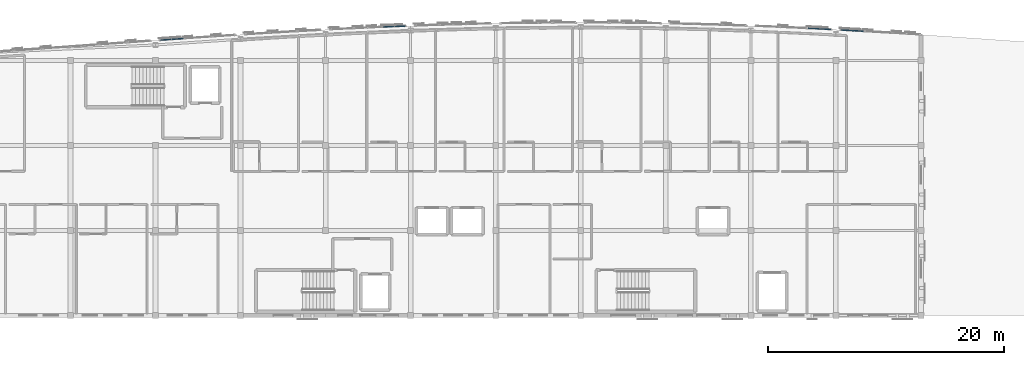
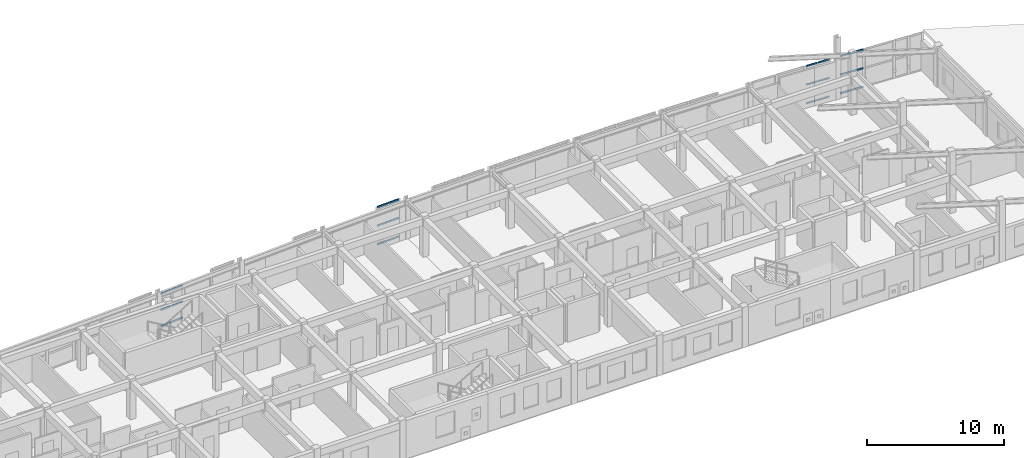
# One storey, part 21 of 34: 24 members, 4 elements without a shape of their own.
"""IFC4 building model written with IfcOpenShell, lengths in metres."""

from ifc_helpers import new_model, si_unit, direction, frame, origin, origin_2d, place, context, subcontext, project, spatial, hollow_rectangle, extrude, material, layer, layer_set, material_profile, profile_set, type_object, element, aggregate, save


model = new_model("IFC4")

# Units and contexts
model_context = context("Model", 3, precision=1e-05, world=origin(), true_north=direction((0.0, 1.0)))
body_context = subcontext(model_context, "Body", "Model", "MODEL_VIEW")
ifc_project = project(units=[si_unit("LENGTHUNIT", "METRE"), si_unit("AREAUNIT", "SQUARE_METRE"), si_unit("VOLUMEUNIT", "CUBIC_METRE"), si_unit("PLANEANGLEUNIT", "RADIAN"), si_unit("MASSUNIT", "GRAM", prefix="KILO")], contexts=[model_context])

# Site, building, storey
site_placement = place(None, origin())
site = spatial("IfcSite", under=ifc_project, at=site_placement, CompositionType="ELEMENT")
building_placement = place(site_placement, origin())
building = spatial("IfcBuilding", under=site, at=building_placement, Name="Carrowvane Square Congress Hotel", CompositionType="ELEMENT")
storey_placement = place(building_placement, frame((0.0, 0.0, 40.800048828125)))
storey = spatial("IfcBuildingStorey", under=building, at=storey_placement, Name="L10", CompositionType="ELEMENT", Elevation=40.800048828125)

# Curtain wall, members
ifc_material_1 = material(Name="Anodised aluminium", Category="aluminium")
ifc_layer_1 = layer(ifc_material_1, 0.23388671875)
ifc_layer_set_1 = layer_set([ifc_layer_1], Name="Anodised aluminium")
curtain_wall_type_1 = type_object("IfcCurtainWallType", Name="CW-SYS-7", PredefinedType="NOTDEFINED", material=ifc_layer_set_1)
curtain_wall_1_placement = place(storey_placement, origin())
curtain_wall_1 = element("IfcCurtainWall", 1, at=curtain_wall_1_placement, inside=storey, type_object=curtain_wall_type_1, Name="L10 unitised curtain wall 582", PredefinedType="NOTDEFINED")
ifc_material_2 = material(Name="Anodised aluminium", Category="aluminium")
ifc_material_profile_1 = material_profile(ifc_material_2, hollow_rectangle(XDim=0.06005859375, YDim=0.1298828125, WallThickness=0.00390625, at=origin_2d()), Name="CW-TR 60x130x4")
ifc_profile_set_1 = profile_set([ifc_material_profile_1], Name="Anodised aluminium")
member_type_1 = type_object("IfcMemberType", Name="CW-TRN-1", PredefinedType="USERDEFINED", material=ifc_profile_set_1)
member_1_placement = place(storey_placement, frame((117.260009765625, 116.115478515625, 0.030029296875), z_axis=(0.998739195934, -0.050199785901, 0.0), x_axis=(0.050199785901, 0.998739195934, 0.0)))
member_1 = element("IfcMember", 2, at=member_1_placement, type_object=member_type_1, Name="CW-7 transom 1.1", ObjectType="TRANSOM", PredefinedType="USERDEFINED", context=body_context, shape_type="SweptSolid", body=[
    extrude(hollow_rectangle(XDim=0.06005859375, YDim=0.1298828125, WallThickness=0.00390625, at=origin_2d()), origin(), (0.0, 0.0, 1.0), 0.928955078125),
])
member_2_placement = place(storey_placement, frame((117.260009765625, 116.115478515625, 1.68994140625), z_axis=(0.998739195934, -0.050199785901, 0.0), x_axis=(0.050199785901, 0.998739195934, 0.0)))
member_2 = element("IfcMember", 3, at=member_2_placement, type_object=member_type_1, Name="CW-7 transom 1.2", ObjectType="TRANSOM", PredefinedType="USERDEFINED", context=body_context, shape_type="SweptSolid", body=[
    extrude(hollow_rectangle(XDim=0.06005859375, YDim=0.1298828125, WallThickness=0.00390625, at=origin_2d()), origin(), (0.0, 0.0, 1.0), 0.928955078125),
])
member_3_placement = place(storey_placement, frame((117.260009765625, 116.115478515625, 3.349853515625), z_axis=(0.998739195934, -0.050199785901, 0.0), x_axis=(0.050199785901, 0.998739195934, 0.0)))
member_3 = element("IfcMember", 4, at=member_3_placement, type_object=member_type_1, Name="CW-7 transom 1.3", ObjectType="TRANSOM", PredefinedType="USERDEFINED", context=body_context, shape_type="SweptSolid", body=[
    extrude(hollow_rectangle(XDim=0.06005859375, YDim=0.1298828125, WallThickness=0.00390625, at=origin_2d()), origin(), (0.0, 0.0, 1.0), 0.928955078125),
])
member_4_placement = place(storey_placement, frame((118.24755859375, 116.065673828125, 0.030029296875), z_axis=(0.998739858, -0.050186612175, 0.0), x_axis=(0.050186612175, 0.998739858, 0.0)))
member_4 = element("IfcMember", 5, at=member_4_placement, type_object=member_type_1, Name="CW-7 transom 2.1", ObjectType="TRANSOM", PredefinedType="USERDEFINED", context=body_context, shape_type="SweptSolid", body=[
    extrude(hollow_rectangle(XDim=0.06005859375, YDim=0.1298828125, WallThickness=0.00390625, at=origin_2d()), origin(), (0.0, 0.0, 1.0), 0.92919921875),
])
member_5_placement = place(storey_placement, frame((118.24755859375, 116.065673828125, 1.68994140625), z_axis=(0.998739858, -0.050186612175, 0.0), x_axis=(0.050186612175, 0.998739858, 0.0)))
member_5 = element("IfcMember", 6, at=member_5_placement, type_object=member_type_1, Name="CW-7 transom 2.2", ObjectType="TRANSOM", PredefinedType="USERDEFINED", context=body_context, shape_type="SweptSolid", body=[
    extrude(hollow_rectangle(XDim=0.06005859375, YDim=0.1298828125, WallThickness=0.00390625, at=origin_2d()), origin(), (0.0, 0.0, 1.0), 0.92919921875),
])
member_6_placement = place(storey_placement, frame((118.24755859375, 116.065673828125, 3.349853515625), z_axis=(0.998739858, -0.050186612175, 0.0), x_axis=(0.050186612175, 0.998739858, 0.0)))
member_6 = element("IfcMember", 7, at=member_6_placement, type_object=member_type_1, Name="CW-7 transom 2.3", ObjectType="TRANSOM", PredefinedType="USERDEFINED", context=body_context, shape_type="SweptSolid", body=[
    extrude(hollow_rectangle(XDim=0.06005859375, YDim=0.1298828125, WallThickness=0.00390625, at=origin_2d()), origin(), (0.0, 0.0, 1.0), 0.92919921875),
])
aggregate(curtain_wall_1, [member_1, member_2, member_3, member_4, member_5, member_6])

ifc_material_3 = material(Name="Anodised aluminium", Category="aluminium")
ifc_layer_2 = layer(ifc_material_3, 0.24609375)
ifc_layer_set_2 = layer_set([ifc_layer_2], Name="Anodised aluminium")
curtain_wall_type_2 = type_object("IfcCurtainWallType", Name="CW-SYS-8", PredefinedType="NOTDEFINED", material=ifc_layer_set_2)
curtain_wall_2_placement = place(storey_placement, origin())
curtain_wall_2 = element("IfcCurtainWall", 8, at=curtain_wall_2_placement, inside=storey, type_object=curtain_wall_type_2, Name="L10 unitised curtain wall 559", PredefinedType="NOTDEFINED")
ifc_material_4 = material(Name="Anodised aluminium", Category="aluminium")
ifc_material_profile_2 = material_profile(ifc_material_4, hollow_rectangle(XDim=0.070068359375, YDim=0.14990234375, WallThickness=0.0048828125, at=origin_2d()), Name="CW-TR 70x150x5")
ifc_profile_set_2 = profile_set([ifc_material_profile_2], Name="Anodised aluminium")
member_type_2 = type_object("IfcMemberType", Name="CW-TRN-2", PredefinedType="USERDEFINED", material=ifc_profile_set_2)
member_7_placement = place(storey_placement, frame((62.427001953125, 115.11572265625, 0.034912109375), z_axis=(0.997556190517, 0.069868782452, 0.0), x_axis=(-0.069868782452, 0.997556190517, 0.0)))
member_7 = element("IfcMember", 9, at=member_7_placement, type_object=member_type_2, Name="CW-8 transom 1.1", ObjectType="TRANSOM", PredefinedType="USERDEFINED", context=body_context, shape_type="SweptSolid", body=[
    extrude(hollow_rectangle(XDim=0.070068359375, YDim=0.14990234375, WallThickness=0.0048828125, at=origin_2d()), origin(), (0.0, 0.0, 1.0), 0.9189453125),
])
member_8_placement = place(storey_placement, frame((62.427001953125, 115.11572265625, 1.477783203125), z_axis=(0.997556190517, 0.069868782452, 0.0), x_axis=(-0.069868782452, 0.997556190517, 0.0)))
member_8 = element("IfcMember", 10, at=member_8_placement, type_object=member_type_2, Name="CW-8 transom 1.2", ObjectType="TRANSOM", PredefinedType="USERDEFINED", context=body_context, shape_type="SweptSolid", body=[
    extrude(hollow_rectangle(XDim=0.070068359375, YDim=0.14990234375, WallThickness=0.0048828125, at=origin_2d()), origin(), (0.0, 0.0, 1.0), 0.9189453125),
])
member_9_placement = place(storey_placement, frame((62.427001953125, 115.11572265625, 2.920654296875), z_axis=(0.997556190517, 0.069868782452, 0.0), x_axis=(-0.069868782452, 0.997556190517, 0.0)))
member_9 = element("IfcMember", 11, at=member_9_placement, type_object=member_type_2, Name="CW-8 transom 1.3", ObjectType="TRANSOM", PredefinedType="USERDEFINED", context=body_context, shape_type="SweptSolid", body=[
    extrude(hollow_rectangle(XDim=0.070068359375, YDim=0.14990234375, WallThickness=0.0048828125, at=origin_2d()), origin(), (0.0, 0.0, 1.0), 0.9189453125),
])
member_10_placement = place(storey_placement, frame((63.41357421875, 115.184814453125, 0.034912109375), z_axis=(0.997574671863, 0.069604411193, 0.0), x_axis=(-0.069604411193, 0.997574671863, 0.0)))
member_10 = element("IfcMember", 12, at=member_10_placement, type_object=member_type_2, Name="CW-8 transom 2.1", ObjectType="TRANSOM", PredefinedType="USERDEFINED", context=body_context, shape_type="SweptSolid", body=[
    extrude(hollow_rectangle(XDim=0.070068359375, YDim=0.14990234375, WallThickness=0.0048828125, at=origin_2d()), origin(), (0.0, 0.0, 1.0), 0.9189453125),
])
member_11_placement = place(storey_placement, frame((63.41357421875, 115.184814453125, 1.477783203125), z_axis=(0.997574671863, 0.069604411193, 0.0), x_axis=(-0.069604411193, 0.997574671863, 0.0)))
member_11 = element("IfcMember", 13, at=member_11_placement, type_object=member_type_2, Name="CW-8 transom 2.2", ObjectType="TRANSOM", PredefinedType="USERDEFINED", context=body_context, shape_type="SweptSolid", body=[
    extrude(hollow_rectangle(XDim=0.070068359375, YDim=0.14990234375, WallThickness=0.0048828125, at=origin_2d()), origin(), (0.0, 0.0, 1.0), 0.9189453125),
])
member_12_placement = place(storey_placement, frame((63.41357421875, 115.184814453125, 2.920654296875), z_axis=(0.997574671863, 0.069604411193, 0.0), x_axis=(-0.069604411193, 0.997574671863, 0.0)))
member_12 = element("IfcMember", 14, at=member_12_placement, type_object=member_type_2, Name="CW-8 transom 2.3", ObjectType="TRANSOM", PredefinedType="USERDEFINED", context=body_context, shape_type="SweptSolid", body=[
    extrude(hollow_rectangle(XDim=0.070068359375, YDim=0.14990234375, WallThickness=0.0048828125, at=origin_2d()), origin(), (0.0, 0.0, 1.0), 0.9189453125),
])
aggregate(curtain_wall_2, [member_7, member_8, member_9, member_10, member_11, member_12])

curtain_wall_3_placement = place(storey_placement, origin())
curtain_wall_3 = element("IfcCurtainWall", 15, at=curtain_wall_3_placement, inside=storey, type_object=curtain_wall_type_2, Name="L10 unitised curtain wall 567", PredefinedType="NOTDEFINED")
member_13_placement = place(storey_placement, frame((81.27001953125, 116.23046875, 0.034912109375), z_axis=(0.999197909708, 0.040044191038, 0.0), x_axis=(-0.040044191038, 0.999197909708, 0.0)))
member_13 = element("IfcMember", 16, at=member_13_placement, type_object=member_type_2, Name="CW-8 transom 1.1", ObjectType="TRANSOM", PredefinedType="USERDEFINED", context=body_context, shape_type="SweptSolid", body=[
    extrude(hollow_rectangle(XDim=0.070068359375, YDim=0.14990234375, WallThickness=0.0048828125, at=origin_2d()), origin(), (0.0, 0.0, 1.0), 0.896240234375),
])
member_14_placement = place(storey_placement, frame((81.27001953125, 116.23046875, 1.68994140625), z_axis=(0.999197909708, 0.040044191038, 0.0), x_axis=(-0.040044191038, 0.999197909708, 0.0)))
member_14 = element("IfcMember", 17, at=member_14_placement, type_object=member_type_2, Name="CW-8 transom 1.2", ObjectType="TRANSOM", PredefinedType="USERDEFINED", context=body_context, shape_type="SweptSolid", body=[
    extrude(hollow_rectangle(XDim=0.070068359375, YDim=0.14990234375, WallThickness=0.0048828125, at=origin_2d()), origin(), (0.0, 0.0, 1.0), 0.896240234375),
])
member_15_placement = place(storey_placement, frame((81.27001953125, 116.23046875, 3.344970703125), z_axis=(0.999197909708, 0.040044191038, 0.0), x_axis=(-0.040044191038, 0.999197909708, 0.0)))
member_15 = element("IfcMember", 18, at=member_15_placement, type_object=member_type_2, Name="CW-8 transom 1.3", ObjectType="TRANSOM", PredefinedType="USERDEFINED", context=body_context, shape_type="SweptSolid", body=[
    extrude(hollow_rectangle(XDim=0.070068359375, YDim=0.14990234375, WallThickness=0.0048828125, at=origin_2d()), origin(), (0.0, 0.0, 1.0), 0.896240234375),
])
member_16_placement = place(storey_placement, frame((82.235595703125, 116.269287109375, 0.034912109375), z_axis=(0.999197909708, 0.040044191038, 0.0), x_axis=(-0.040044191038, 0.999197909708, 0.0)))
member_16 = element("IfcMember", 19, at=member_16_placement, type_object=member_type_2, Name="CW-8 transom 2.1", ObjectType="TRANSOM", PredefinedType="USERDEFINED", context=body_context, shape_type="SweptSolid", body=[
    extrude(hollow_rectangle(XDim=0.070068359375, YDim=0.14990234375, WallThickness=0.0048828125, at=origin_2d()), origin(), (0.0, 0.0, 1.0), 0.896240234375),
])
member_17_placement = place(storey_placement, frame((82.235595703125, 116.269287109375, 1.68994140625), z_axis=(0.999197909708, 0.040044191038, 0.0), x_axis=(-0.040044191038, 0.999197909708, 0.0)))
member_17 = element("IfcMember", 20, at=member_17_placement, type_object=member_type_2, Name="CW-8 transom 2.2", ObjectType="TRANSOM", PredefinedType="USERDEFINED", context=body_context, shape_type="SweptSolid", body=[
    extrude(hollow_rectangle(XDim=0.070068359375, YDim=0.14990234375, WallThickness=0.0048828125, at=origin_2d()), origin(), (0.0, 0.0, 1.0), 0.896240234375),
])
member_18_placement = place(storey_placement, frame((82.235595703125, 116.269287109375, 3.344970703125), z_axis=(0.999197909708, 0.040044191038, 0.0), x_axis=(-0.040044191038, 0.999197909708, 0.0)))
member_18 = element("IfcMember", 21, at=member_18_placement, type_object=member_type_2, Name="CW-8 transom 2.3", ObjectType="TRANSOM", PredefinedType="USERDEFINED", context=body_context, shape_type="SweptSolid", body=[
    extrude(hollow_rectangle(XDim=0.070068359375, YDim=0.14990234375, WallThickness=0.0048828125, at=origin_2d()), origin(), (0.0, 0.0, 1.0), 0.896240234375),
])
aggregate(curtain_wall_3, [member_13, member_14, member_15, member_16, member_17, member_18])

curtain_wall_4_placement = place(storey_placement, origin())
curtain_wall_4 = element("IfcCurtainWall", 22, at=curtain_wall_4_placement, inside=storey, type_object=curtain_wall_type_2, Name="L10 unitised curtain wall 583", PredefinedType="NOTDEFINED")
member_19_placement = place(storey_placement, frame((120.074462890625, 115.971435546875, 0.034912109375), z_axis=(0.998507868183, -0.054608032167, 0.0), x_axis=(0.054608032167, 0.998507868183, 0.0)))
member_19 = element("IfcMember", 23, at=member_19_placement, type_object=member_type_2, Name="CW-8 transom 1.1", ObjectType="TRANSOM", PredefinedType="USERDEFINED", context=body_context, shape_type="SweptSolid", body=[
    extrude(hollow_rectangle(XDim=0.070068359375, YDim=0.14990234375, WallThickness=0.0048828125, at=origin_2d()), origin(), (0.0, 0.0, 1.0), 0.89404296875),
])
member_20_placement = place(storey_placement, frame((120.074462890625, 115.971435546875, 1.68994140625), z_axis=(0.998507868183, -0.054608032167, 0.0), x_axis=(0.054608032167, 0.998507868183, 0.0)))
member_20 = element("IfcMember", 24, at=member_20_placement, type_object=member_type_2, Name="CW-8 transom 1.2", ObjectType="TRANSOM", PredefinedType="USERDEFINED", context=body_context, shape_type="SweptSolid", body=[
    extrude(hollow_rectangle(XDim=0.070068359375, YDim=0.14990234375, WallThickness=0.0048828125, at=origin_2d()), origin(), (0.0, 0.0, 1.0), 0.89404296875),
])
member_21_placement = place(storey_placement, frame((120.074462890625, 115.971435546875, 3.344970703125), z_axis=(0.998507868183, -0.054608032167, 0.0), x_axis=(0.054608032167, 0.998507868183, 0.0)))
member_21 = element("IfcMember", 25, at=member_21_placement, type_object=member_type_2, Name="CW-8 transom 1.3", ObjectType="TRANSOM", PredefinedType="USERDEFINED", context=body_context, shape_type="SweptSolid", body=[
    extrude(hollow_rectangle(XDim=0.070068359375, YDim=0.14990234375, WallThickness=0.0048828125, at=origin_2d()), origin(), (0.0, 0.0, 1.0), 0.89404296875),
])
member_22_placement = place(storey_placement, frame((121.037109375, 115.918701171875, 0.034912109375), z_axis=(0.998493765365, -0.054865294379, 0.0), x_axis=(0.054865294379, 0.998493765365, 0.0)))
member_22 = element("IfcMember", 26, at=member_22_placement, type_object=member_type_2, Name="CW-8 transom 2.1", ObjectType="TRANSOM", PredefinedType="USERDEFINED", context=body_context, shape_type="SweptSolid", body=[
    extrude(hollow_rectangle(XDim=0.070068359375, YDim=0.14990234375, WallThickness=0.0048828125, at=origin_2d()), origin(), (0.0, 0.0, 1.0), 0.89453125),
])
member_23_placement = place(storey_placement, frame((121.037109375, 115.918701171875, 1.68994140625), z_axis=(0.998493765365, -0.054865294379, 0.0), x_axis=(0.054865294379, 0.998493765365, 0.0)))
member_23 = element("IfcMember", 27, at=member_23_placement, type_object=member_type_2, Name="CW-8 transom 2.2", ObjectType="TRANSOM", PredefinedType="USERDEFINED", context=body_context, shape_type="SweptSolid", body=[
    extrude(hollow_rectangle(XDim=0.070068359375, YDim=0.14990234375, WallThickness=0.0048828125, at=origin_2d()), origin(), (0.0, 0.0, 1.0), 0.89453125),
])
member_24_placement = place(storey_placement, frame((121.037109375, 115.918701171875, 3.344970703125), z_axis=(0.998493765365, -0.054865294379, 0.0), x_axis=(0.054865294379, 0.998493765365, 0.0)))
member_24 = element("IfcMember", 28, at=member_24_placement, type_object=member_type_2, Name="CW-8 transom 2.3", ObjectType="TRANSOM", PredefinedType="USERDEFINED", context=body_context, shape_type="SweptSolid", body=[
    extrude(hollow_rectangle(XDim=0.070068359375, YDim=0.14990234375, WallThickness=0.0048828125, at=origin_2d()), origin(), (0.0, 0.0, 1.0), 0.89453125),
])
aggregate(curtain_wall_4, [member_19, member_20, member_21, member_22, member_23, member_24])

save(model, "model.ifc")
